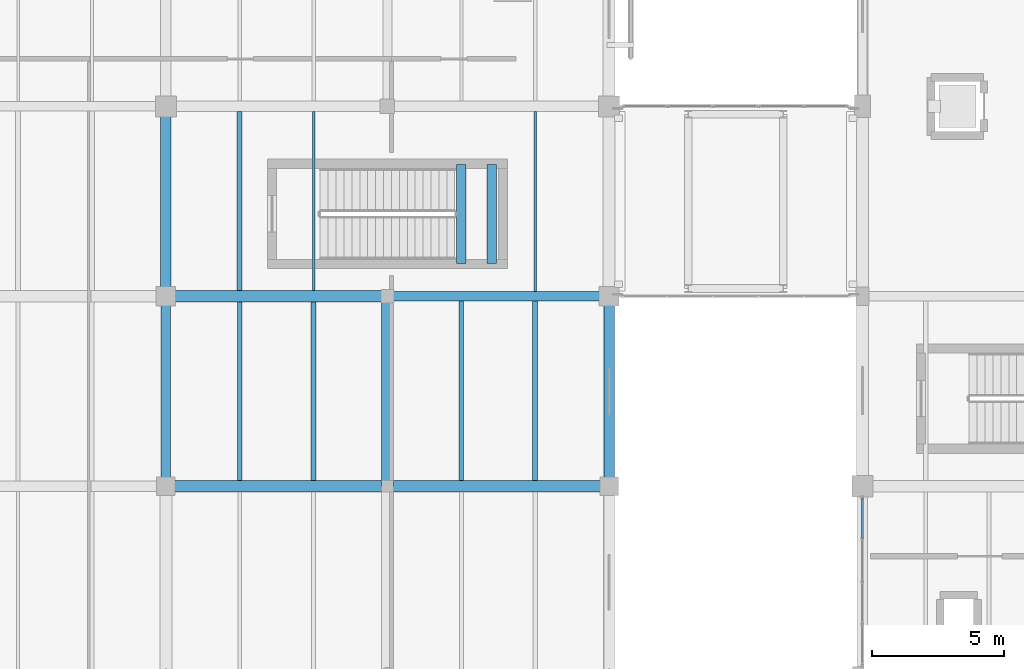
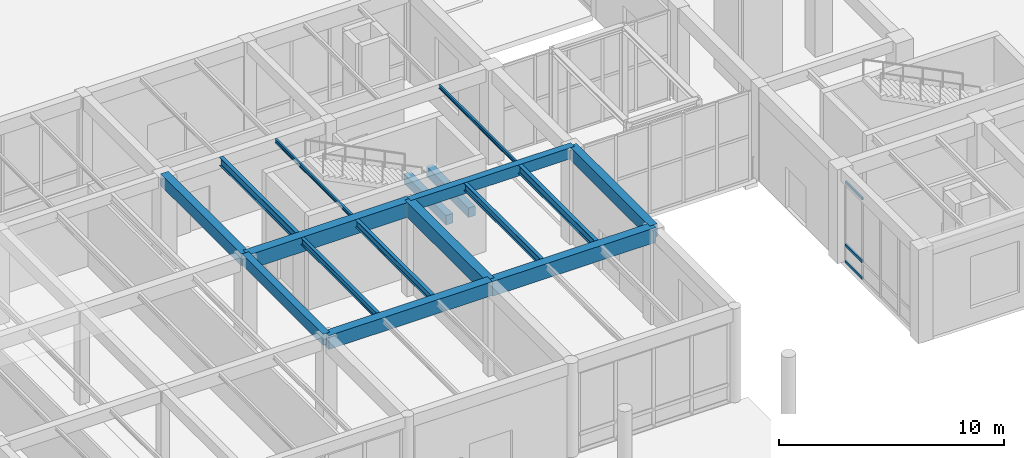
# One storey, part 45 of 169: 17 beams, 3 members, 1 element without a shape of its own.
"""IFC4 building model written with IfcOpenShell, lengths in metres."""

from ifc_helpers import new_model, si_unit, direction, frame, origin, origin_2d, place, context, subcontext, project, spatial, rectangle, hollow_rectangle, i_section, extrude, material, layer, layer_set, material_profile, profile_set, type_object, element, aggregate, save


model = new_model("IFC4")

# Units and contexts
model_context = context("Model", 3, precision=1e-05, world=origin(), true_north=direction((0.0, 1.0)))
body_context = subcontext(model_context, "Body", "Model", "MODEL_VIEW")
ifc_project = project(units=[si_unit("LENGTHUNIT", "METRE"), si_unit("AREAUNIT", "SQUARE_METRE"), si_unit("VOLUMEUNIT", "CUBIC_METRE"), si_unit("PLANEANGLEUNIT", "RADIAN"), si_unit("MASSUNIT", "GRAM", prefix="KILO")], contexts=[model_context])

# Site, building, storey
site_placement = place(None, origin())
site = spatial("IfcSite", under=ifc_project, at=site_placement, CompositionType="ELEMENT")
building_placement = place(site_placement, origin())
building = spatial("IfcBuilding", under=site, at=building_placement, Name="Mazaris Harbour Polytechnic", CompositionType="ELEMENT")
storey_placement = place(building_placement, origin())
storey = spatial("IfcBuildingStorey", under=building, at=storey_placement, Name="L00", CompositionType="ELEMENT", Elevation=0.0)

# Curtain wall, members
ifc_material_1 = material(Name="Anodised Bronze Aluminium and Low-E Glass", Category="aluminium")
ifc_layer = layer(ifc_material_1, 0.159912109375, Name="Anodised Bronze Aluminium and Low-E Glass")
ifc_layer_set = layer_set([ifc_layer], Name="Anodised Bronze Aluminium and Low-E Glass")
curtain_wall_type = type_object("IfcCurtainWallType", Name="Cloister Court Curtain Wall", PredefinedType="NOTDEFINED", material=ifc_layer_set)
curtain_wall_placement = place(storey_placement, origin())
curtain_wall = element("IfcCurtainWall", 1, at=curtain_wall_placement, inside=storey, type_object=curtain_wall_type, Name="V2 L00 Curtain Wall 41", PredefinedType="NOTDEFINED")
ifc_material_2 = material(Name="Anodised Bronze Steel S355", Category="steel")
ifc_material_profile_1 = material_profile(ifc_material_2, hollow_rectangle(XDim=0.080078125, YDim=0.139892578125, WallThickness=0.00634765625, at=origin_2d()), Name="RHS 80x140x6.3")
ifc_profile_set_1 = profile_set([ifc_material_profile_1], Name="Anodised Bronze Steel S355")
member_type = type_object("IfcMemberType", Name="Curtain Transom RHS80x140", PredefinedType="USERDEFINED", material=ifc_profile_set_1)
member_1_placement = place(storey_placement, frame((122.39990234375, 12.437744140625, 0.0400390625), z_axis=(0.0, 1.0, 0.0), x_axis=(-1.0, 0.0, 0.0)))
member_1 = element("IfcMember", 2, at=member_1_placement, type_object=member_type, Name="CW-02 transom 4.1", ObjectType="TRANSOM", PredefinedType="USERDEFINED", context=body_context, shape_type="SweptSolid", body=[
    extrude(hollow_rectangle(XDim=0.080078125, YDim=0.139892578125, WallThickness=0.00634765625, at=origin_2d()), origin(), (0.0, 0.0, 1.0), 1.490234375),
])
member_2_placement = place(storey_placement, frame((122.39990234375, 12.437744140625, 0.949951171875), z_axis=(0.0, 1.0, 0.0), x_axis=(-1.0, 0.0, 0.0)))
member_2 = element("IfcMember", 3, at=member_2_placement, type_object=member_type, Name="CW-02 transom 4.2", ObjectType="TRANSOM", PredefinedType="USERDEFINED", context=body_context, shape_type="SweptSolid", body=[
    extrude(hollow_rectangle(XDim=0.080078125, YDim=0.139892578125, WallThickness=0.00634765625, at=origin_2d()), origin(), (0.0, 0.0, 1.0), 1.490234375),
])
member_3_placement = place(storey_placement, frame((122.39990234375, 12.437744140625, 4.35009765625), z_axis=(0.0, 1.0, 0.0), x_axis=(-1.0, 0.0, 0.0)))
member_3 = element("IfcMember", 4, at=member_3_placement, type_object=member_type, Name="CW-02 transom 4.3", ObjectType="TRANSOM", PredefinedType="USERDEFINED", context=body_context, shape_type="SweptSolid", body=[
    extrude(hollow_rectangle(XDim=0.080078125, YDim=0.139892578125, WallThickness=0.00634765625, at=origin_2d()), origin(), (0.0, 0.0, 1.0), 1.490234375),
])
aggregate(curtain_wall, [member_1, member_2, member_3])

# Beams
ifc_material_3 = material(Name="Concrete C35/45", Category="concrete")
ifc_material_profile_2 = material_profile(ifc_material_3, rectangle(XDim=0.35009765625, YDim=0.60009765625, at=origin_2d()), Name="RECT350x600")
ifc_profile_set_2 = profile_set([ifc_material_profile_2], Name="Concrete C35/45")
beam_type_1 = type_object("IfcBeamType", Name="RC Girder 350x600", PredefinedType="BEAM", material=ifc_profile_set_2)
beam_1_placement = place(storey_placement, frame((104.39990234375, 21.60009765625, 4.800048828125), z_axis=(1.0, 0.0, 0.0), x_axis=(0.0, 1.0, 0.0)))
element("IfcBeam", 5, at=beam_1_placement, inside=storey, type_object=beam_type_1, Name="V3 L00 Girder 875", PredefinedType="BEAM", context=body_context, shape_type="SweptSolid", body=[
    extrude(rectangle(XDim=0.35009765625, YDim=0.60009765625, at=origin_2d()), origin(), (0.0, 0.0, 1.0), 8.400146484375),
])
beam_2_placement = place(storey_placement, frame((96.0, 14.39990234375, 4.800048828125), z_axis=(0.0, 1.0, 0.0), x_axis=(-1.0, 0.0, 0.0)))
element("IfcBeam", 6, at=beam_2_placement, inside=storey, type_object=beam_type_1, Name="V3 L00 Tie Girder 910", PredefinedType="BEAM", context=body_context, shape_type="SweptSolid", body=[
    extrude(rectangle(XDim=0.35009765625, YDim=0.60009765625, at=origin_2d()), origin(), (0.0, 0.0, 1.0), 7.2001953125),
])
ifc_material_4 = material(Name="Concrete C35/45", Category="concrete")
ifc_material_profile_3 = material_profile(ifc_material_4, rectangle(XDim=0.39990234375, YDim=0.64990234375, at=origin_2d()), Name="RECT400x650")
ifc_profile_set_3 = profile_set([ifc_material_profile_3], Name="Concrete C35/45")
beam_type_2 = type_object("IfcBeamType", Name="RC Girder 400x650", PredefinedType="BEAM", material=ifc_profile_set_3)
beam_3_placement = place(storey_placement, frame((96.0, 21.60009765625, 4.77490234375), z_axis=(0.0, 1.0, 0.0), x_axis=(-1.0, 0.0, 0.0)))
element("IfcBeam", 7, at=beam_3_placement, inside=storey, type_object=beam_type_2, Name="V3 L00 Tie Girder 911", PredefinedType="BEAM", context=body_context, shape_type="SweptSolid", body=[
    extrude(rectangle(XDim=0.39990234375, YDim=0.64990234375, at=origin_2d()), origin(), (0.0, 0.0, 1.0), 7.199951171875),
])
ifc_material_5 = material(Name="Concrete C35/45", Category="concrete")
ifc_material_profile_4 = material_profile(ifc_material_5, rectangle(XDim=0.39990234375, YDim=0.699951171875, at=origin_2d()), Name="RECT400x700")
ifc_profile_set_4 = profile_set([ifc_material_profile_4], Name="Concrete C35/45")
beam_type_3 = type_object("IfcBeamType", Name="RC Girder 400x700 Exterior", PredefinedType="BEAM", material=ifc_profile_set_4)
beam_4_placement = place(storey_placement, frame((112.800048828125, 14.39990234375, 4.75), z_axis=(0.0, 1.0, 0.0), x_axis=(-1.0, 0.0, 0.0)))
element("IfcBeam", 8, at=beam_4_placement, inside=storey, type_object=beam_type_3, Name="V3 L00 Tie Girder 917", PredefinedType="BEAM", context=body_context, shape_type="SweptSolid", body=[
    extrude(rectangle(XDim=0.39990234375, YDim=0.699951171875, at=origin_2d()), origin(), (0.0, 0.0, 1.0), 7.2001953125),
])
ifc_material_6 = material(Name="Concrete C40/50", Category="concrete")
ifc_material_profile_5 = material_profile(ifc_material_6, rectangle(XDim=0.449951171875, YDim=0.75, at=origin_2d()), Name="RECT450x750")
ifc_profile_set_5 = profile_set([ifc_material_profile_5], Name="Concrete C40/50")
beam_type_4 = type_object("IfcBeamType", Name="RC Girder 450x750", PredefinedType="BEAM", material=ifc_profile_set_5)
beam_5_placement = place(storey_placement, frame((96.0, 14.39990234375, 4.72509765625), z_axis=(1.0, 0.0, 0.0), x_axis=(0.0, 1.0, 0.0)))
element("IfcBeam", 9, at=beam_5_placement, inside=storey, type_object=beam_type_4, Name="V3 L00 Girder 868", PredefinedType="BEAM", context=body_context, shape_type="SweptSolid", body=[
    extrude(rectangle(XDim=0.449951171875, YDim=0.75, at=origin_2d()), origin(), (0.0, 0.0, 1.0), 8.39990234375),
])
ifc_material_7 = material(Name="Concrete C40/50", Category="concrete")
ifc_material_profile_6 = material_profile(ifc_material_7, rectangle(XDim=0.449951171875, YDim=0.800048828125, at=origin_2d()), Name="RECT450x800")
ifc_profile_set_6 = profile_set([ifc_material_profile_6], Name="Concrete C40/50")
beam_type_5 = type_object("IfcBeamType", Name="RC Girder 450x800", PredefinedType="BEAM", material=ifc_profile_set_6)
beam_6_placement = place(storey_placement, frame((104.39990234375, 14.39990234375, 4.699951171875), z_axis=(1.0, 0.0, 0.0), x_axis=(0.0, 1.0, 0.0)))
element("IfcBeam", 10, at=beam_6_placement, inside=storey, type_object=beam_type_5, Name="V3 L00 Girder 869", PredefinedType="BEAM", context=body_context, shape_type="SweptSolid", body=[
    extrude(rectangle(XDim=0.449951171875, YDim=0.800048828125, at=origin_2d()), origin(), (0.0, 0.0, 1.0), 8.400146484375),
])
beam_7_placement = place(storey_placement, frame((96.0, 21.60009765625, 4.699951171875), z_axis=(1.0, 0.0, 0.0), x_axis=(0.0, 1.0, 0.0)))
element("IfcBeam", 11, at=beam_7_placement, inside=storey, type_object=beam_type_5, Name="V3 L00 Girder 874", PredefinedType="BEAM", context=body_context, shape_type="SweptSolid", body=[
    extrude(rectangle(XDim=0.449951171875, YDim=0.800048828125, at=origin_2d()), origin(), (0.0, 0.0, 1.0), 8.39990234375),
])
beam_8_placement = place(storey_placement, frame((104.39990234375, 14.39990234375, 4.699951171875), z_axis=(0.0, 1.0, 0.0), x_axis=(-1.0, 0.0, 0.0)))
element("IfcBeam", 12, at=beam_8_placement, inside=storey, type_object=beam_type_5, Name="V3 L00 Tie Girder 914", PredefinedType="BEAM", context=body_context, shape_type="SweptSolid", body=[
    extrude(rectangle(XDim=0.449951171875, YDim=0.800048828125, at=origin_2d()), origin(), (0.0, 0.0, 1.0), 7.2001953125),
])
ifc_material_8 = material(Name="Concrete C40/50", Category="concrete")
ifc_material_profile_7 = material_profile(ifc_material_8, rectangle(XDim=0.35009765625, YDim=0.52001953125, at=origin_2d()), Name="RECT350x520")
ifc_profile_set_7 = profile_set([ifc_material_profile_7], Name="Concrete C40/50")
beam_type_6 = type_object("IfcBeamType", Name="RC Landing Bearer 350x520", PredefinedType="BEAM", material=ifc_profile_set_7)
for number, where, z_axis, x_axis, name in (
    (13, (107.199951171875, 22.85009765625, 2.239990234375), (0.0, 1.0, 0.0), (-1.0, 0.0, 0.0), "Core ST06 L00 Landing Bearer"),
    (14, (108.35009765625, 22.85009765625, 2.239990234375), (0.0, 1.0, 0.0), (-1.0, 0.0, 0.0), "Core ST06 L00 Landing Bearer"),
):
    element("IfcBeam", number, at=place(storey_placement, frame(where, z_axis=z_axis, x_axis=x_axis)), inside=storey, type_object=beam_type_6, Name=name, PredefinedType="BEAM", context=body_context, shape_type="SweptSolid", body=[
        extrude(rectangle(XDim=0.35009765625, YDim=0.52001953125, at=origin_2d()), origin(), (0.0, 0.0, 1.0), 3.75),
    ])
ifc_material_9 = material(Name="Steel S355", Category="steel")
ifc_material_profile_8 = material_profile(ifc_material_9, i_section(OverallWidth=0.10009765625, OverallDepth=0.199951171875, WebThickness=0.005615234375, FlangeThickness=0.008544921875, FilletRadius=0.011962890625, at=origin_2d()), Name="IPE 200")
ifc_profile_set_8 = profile_set([ifc_material_profile_8], Name="Steel S355")
beam_type_7 = type_object("IfcBeamType", Name="Steel Joist IPE200", PredefinedType="JOIST", material=ifc_profile_set_8)
beam_9_placement = place(storey_placement, frame((101.60009765625, 21.824951171875, 5.0), z_axis=(0.0, 1.0, 0.0), x_axis=(-1.0, 0.0, 0.0)))
element("IfcBeam", 15, at=beam_9_placement, inside=storey, type_object=beam_type_7, Name="V3 L00 Floor Joist 959", PredefinedType="JOIST", context=body_context, shape_type="SweptSolid", body=[
    extrude(i_section(OverallWidth=0.10009765625, OverallDepth=0.199951171875, WebThickness=0.005615234375, FlangeThickness=0.008544921875, FilletRadius=0.011962890625, at=origin_2d()), origin(), (0.0, 0.0, 1.0), 6.775146484375),
])
beam_10_placement = place(storey_placement, frame((110.0, 21.77490234375, 5.0), z_axis=(0.0, 1.0, 0.0), x_axis=(-1.0, 0.0, 0.0)))
element("IfcBeam", 16, at=beam_10_placement, inside=storey, type_object=beam_type_7, Name="V3 L00 Floor Joist 966", PredefinedType="JOIST", context=body_context, shape_type="SweptSolid", body=[
    extrude(i_section(OverallWidth=0.10009765625, OverallDepth=0.199951171875, WebThickness=0.005615234375, FlangeThickness=0.008544921875, FilletRadius=0.011962890625, at=origin_2d()), origin(), (0.0, 0.0, 1.0), 6.8251953125),
])
ifc_material_10 = material(Name="Steel S355", Category="steel")
ifc_material_profile_9 = material_profile(ifc_material_10, i_section(OverallWidth=0.169921875, OverallDepth=0.360107421875, WebThickness=0.008056640625, FlangeThickness=0.0126953125, FilletRadius=0.01806640625, at=origin_2d()), Name="IPE 360")
ifc_profile_set_9 = profile_set([ifc_material_profile_9], Name="Steel S355")
beam_type_8 = type_object("IfcBeamType", Name="Steel Joist IPE360", PredefinedType="JOIST", material=ifc_profile_set_9)
beam_11_placement = place(storey_placement, frame((98.800048828125, 14.625, 4.919921875), z_axis=(0.0, 1.0, 0.0), x_axis=(-1.0, 0.0, 0.0)))
element("IfcBeam", 17, at=beam_11_placement, inside=storey, type_object=beam_type_8, Name="V3 L00 Floor Joist 956", PredefinedType="JOIST", context=body_context, shape_type="SweptSolid", body=[
    extrude(i_section(OverallWidth=0.169921875, OverallDepth=0.360107421875, WebThickness=0.008056640625, FlangeThickness=0.0126953125, FilletRadius=0.01806640625, at=origin_2d()), origin(), (0.0, 0.0, 1.0), 6.75),
])
ifc_material_11 = material(Name="Steel S355", Category="steel")
ifc_material_profile_10 = material_profile(ifc_material_11, i_section(OverallWidth=0.179931640625, OverallDepth=0.39990234375, WebThickness=0.008544921875, FlangeThickness=0.013427734375, FilletRadius=0.02099609375, at=origin_2d()), Name="IPE 400")
ifc_profile_set_10 = profile_set([ifc_material_profile_10], Name="Steel S355")
beam_type_9 = type_object("IfcBeamType", Name="Steel Joist IPE400", PredefinedType="JOIST", material=ifc_profile_set_10)
beam_12_placement = place(storey_placement, frame((101.60009765625, 14.625, 4.89990234375), z_axis=(0.0, 1.0, 0.0), x_axis=(-1.0, 0.0, 0.0)))
element("IfcBeam", 18, at=beam_12_placement, inside=storey, type_object=beam_type_9, Name="V3 L00 Floor Joist 957", PredefinedType="JOIST", context=body_context, shape_type="SweptSolid", body=[
    extrude(i_section(OverallWidth=0.179931640625, OverallDepth=0.39990234375, WebThickness=0.008544921875, FlangeThickness=0.013427734375, FilletRadius=0.02099609375, at=origin_2d()), origin(), (0.0, 0.0, 1.0), 6.75),
])
beam_13_placement = place(storey_placement, frame((107.199951171875, 14.625, 4.89990234375), z_axis=(0.0, 1.0, 0.0), x_axis=(-1.0, 0.0, 0.0)))
element("IfcBeam", 19, at=beam_13_placement, inside=storey, type_object=beam_type_9, Name="V3 L00 Floor Joist 964", PredefinedType="JOIST", context=body_context, shape_type="SweptSolid", body=[
    extrude(i_section(OverallWidth=0.179931640625, OverallDepth=0.39990234375, WebThickness=0.008544921875, FlangeThickness=0.013427734375, FilletRadius=0.02099609375, at=origin_2d()), origin(), (0.0, 0.0, 1.0), 6.800048828125),
])
ifc_material_12 = material(Name="Steel S355", Category="steel")
ifc_material_profile_11 = material_profile(ifc_material_12, i_section(OverallWidth=0.18994140625, OverallDepth=0.449951171875, WebThickness=0.009521484375, FlangeThickness=0.0146484375, FilletRadius=0.02099609375, at=origin_2d()), Name="IPE 450")
ifc_profile_set_11 = profile_set([ifc_material_profile_11], Name="Steel S355")
beam_type_10 = type_object("IfcBeamType", Name="Steel Joist IPE450", PredefinedType="JOIST", material=ifc_profile_set_11)
beam_14_placement = place(storey_placement, frame((98.800048828125, 21.824951171875, 4.875), z_axis=(0.0, 1.0, 0.0), x_axis=(-1.0, 0.0, 0.0)))
element("IfcBeam", 20, at=beam_14_placement, inside=storey, type_object=beam_type_10, Name="V3 L00 Floor Joist 958", PredefinedType="JOIST", context=body_context, shape_type="SweptSolid", body=[
    extrude(i_section(OverallWidth=0.18994140625, OverallDepth=0.449951171875, WebThickness=0.009521484375, FlangeThickness=0.0146484375, FilletRadius=0.02099609375, at=origin_2d()), origin(), (0.0, 0.0, 1.0), 6.775146484375),
])
beam_15_placement = place(storey_placement, frame((110.0, 14.625, 4.875), z_axis=(0.0, 1.0, 0.0), x_axis=(-1.0, 0.0, 0.0)))
element("IfcBeam", 21, at=beam_15_placement, inside=storey, type_object=beam_type_10, Name="V3 L00 Floor Joist 965", PredefinedType="JOIST", context=body_context, shape_type="SweptSolid", body=[
    extrude(i_section(OverallWidth=0.18994140625, OverallDepth=0.449951171875, WebThickness=0.009521484375, FlangeThickness=0.0146484375, FilletRadius=0.02099609375, at=origin_2d()), origin(), (0.0, 0.0, 1.0), 6.800048828125),
])

save(model, "model.ifc")
